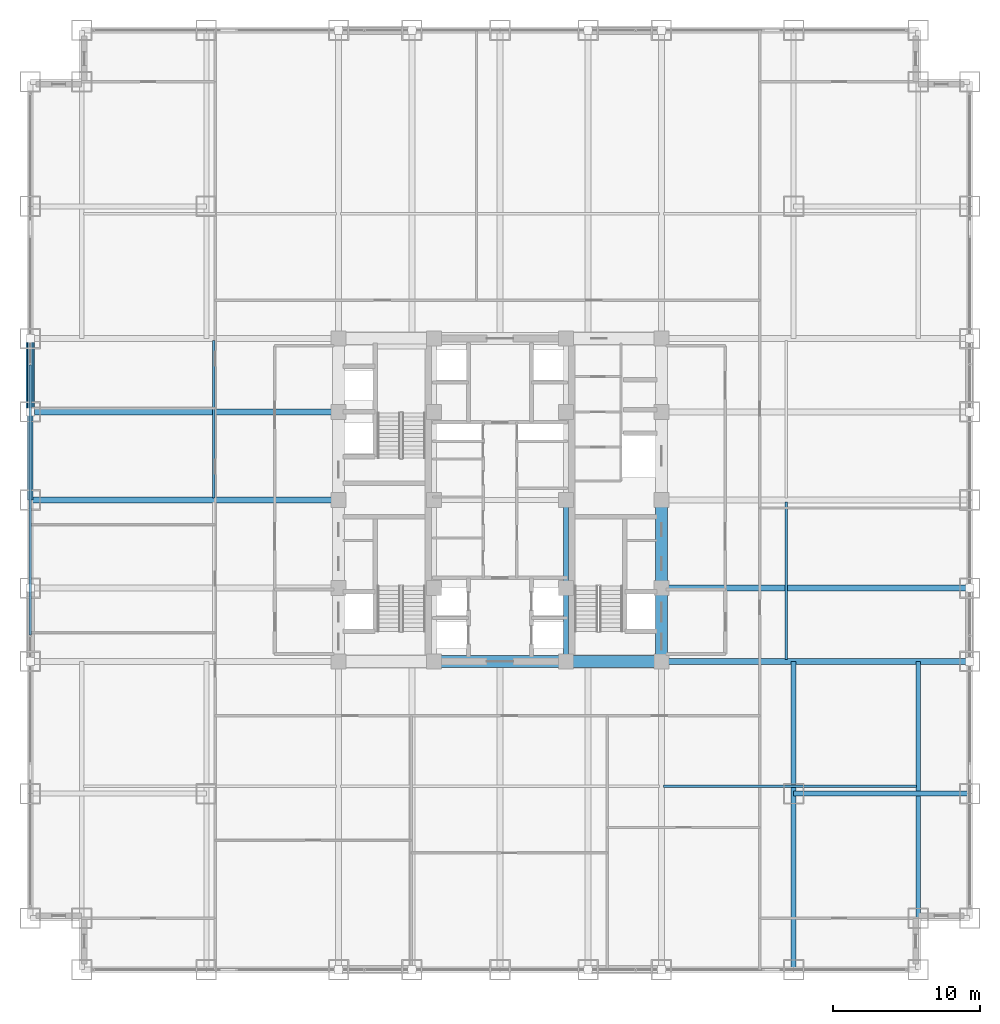
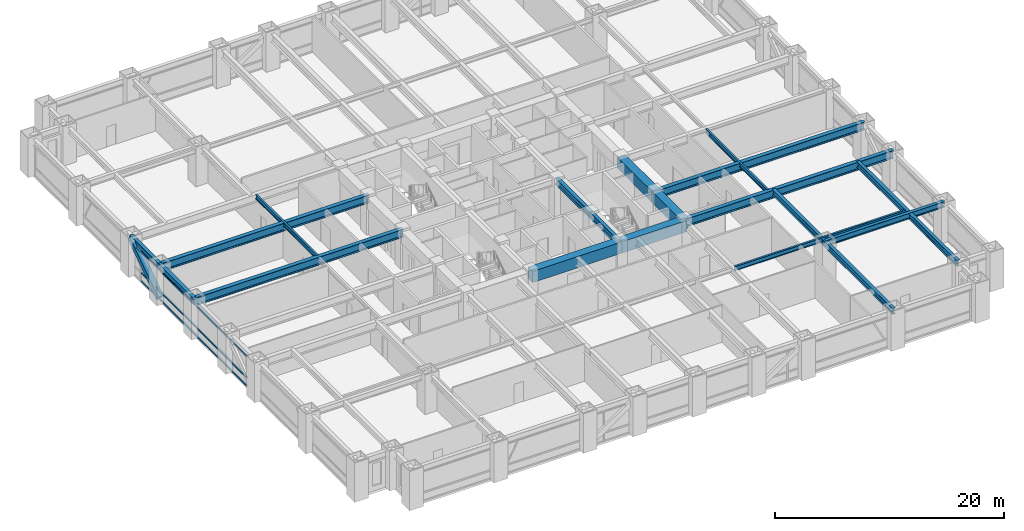
# One storey, part 11 of 28: 18 beams, 4 members, 1 element without a shape of its own.
"""IFC4 building model written with IfcOpenShell, lengths in metres."""

from ifc_helpers import new_model, si_unit, direction, frame, origin, origin_2d, place, context, subcontext, project, spatial, rectangle, hollow_rectangle, i_section, extrude, source, transform, mapped, material, material_profile, profile_set, type_object, element, aggregate, save


model = new_model("IFC4")

# Units and contexts
model_context = context("Model", 3, precision=1e-05, world=origin(), true_north=direction((0.0, 1.0)))
body_context = subcontext(model_context, "Body", "Model", "MODEL_VIEW")
ifc_project = project(units=[si_unit("LENGTHUNIT", "METRE"), si_unit("AREAUNIT", "SQUARE_METRE"), si_unit("VOLUMEUNIT", "CUBIC_METRE"), si_unit("PLANEANGLEUNIT", "RADIAN"), si_unit("MASSUNIT", "GRAM", prefix="KILO")], contexts=[model_context])

# Site, building, storey
site_placement = place(None, origin())
site = spatial("IfcSite", under=ifc_project, at=site_placement, CompositionType="ELEMENT")
building_placement = place(site_placement, origin())
building = spatial("IfcBuilding", under=site, at=building_placement, Name="Khorayat Bourse Tower", CompositionType="ELEMENT")
storey_placement = place(building_placement, frame((0.0, 0.0, 62.0)))
storey = spatial("IfcBuildingStorey", under=building, at=storey_placement, Name="L13", CompositionType="ELEMENT", Elevation=62.0)

# Beams
ifc_material_1 = material(Name="Concrete C72/90", Category="concrete")
ifc_material_profile_1 = material_profile(ifc_material_1, rectangle(XDim=0.800048828125, YDim=1.199951171875, at=origin_2d()), Name="RC 800x1200")
ifc_profile_set_1 = profile_set([ifc_material_profile_1], Name="Concrete C72/90")
beam_type_1 = type_object("IfcBeamType", Name="BM-COUP-1200", PredefinedType="BEAM", material=ifc_profile_set_1)
shared_shape_1 = source(origin(), body_context, "Body", "SweptSolid", [
    extrude(rectangle(XDim=0.800048828125, YDim=1.199951171875, at=origin_2d()), origin(), (0.0, 0.0, 1.0), 5.0),
])
beam_1_placement = place(storey_placement, frame((11.0, -11.0, 3.340087890625), z_axis=(0.0, 1.0, 0.0), x_axis=(-1.0, 0.0, 0.0)))
element("IfcBeam", 1, at=beam_1_placement, inside=storey, type_object=beam_type_1, Name="L13 BM-COUP-1200 BM-L13-CRX-13", PredefinedType="BEAM", context=body_context, shape_type="MappedRepresentation", body=[
    mapped(shared_shape_1, transform((0.0, 0.0, 0.0), scale=1.0)),
])
shared_shape_2 = source(origin(), body_context, "Body", "SweptSolid", [
    extrude(rectangle(XDim=0.800048828125, YDim=1.199951171875, at=origin_2d()), origin(), (0.0, 0.0, 1.0), 6.0),
])
beam_2_placement = place(storey_placement, frame((11.0, -6.0, 3.340087890625), z_axis=(0.0, 1.0, 0.0), x_axis=(-1.0, 0.0, 0.0)))
element("IfcBeam", 2, at=beam_2_placement, inside=storey, type_object=beam_type_1, Name="L13 BM-COUP-1200 BM-L13-CRX-14", PredefinedType="BEAM", context=body_context, shape_type="MappedRepresentation", body=[
    mapped(shared_shape_2, transform((0.0, 0.0, 0.0), scale=1.0)),
])
ifc_material_2 = material(Name="Steel ASTM A992 Grade 50", Category="steel")
ifc_material_profile_2 = material_profile(ifc_material_2, i_section(OverallWidth=0.35498046875, OverallDepth=0.695068359375, WebThickness=0.015380859375, FlangeThickness=0.02490234375, FilletRadius=0.01806640625, at=origin_2d()), Name="W690X217")
ifc_profile_set_2 = profile_set([ifc_material_profile_2], Name="Steel ASTM A992 Grade 50")
beam_type_2 = type_object("IfcBeamType", Name="BM-GIRD-690", PredefinedType="BEAM", material=ifc_profile_set_2)
shared_shape_3 = source(origin(), body_context, "Body", "SweptSolid", [
    extrude(i_section(OverallWidth=0.35498046875, OverallDepth=0.695068359375, WebThickness=0.015380859375, FlangeThickness=0.02490234375, FilletRadius=0.01806640625, at=origin_2d()), origin(), (0.0, 0.0, 1.0), 5.0),
])
beam_3_placement = place(storey_placement, frame((4.5, -11.0, 3.592529296875), z_axis=(0.0, 1.0, 0.0), x_axis=(-1.0, 0.0, 0.0)))
element("IfcBeam", 3, at=beam_3_placement, inside=storey, type_object=beam_type_2, Name="L13 BM-GIRD-690 BM-L13-CRX-09", PredefinedType="BEAM", context=body_context, shape_type="MappedRepresentation", body=[
    mapped(shared_shape_3, transform((0.0, 0.0, 0.0), scale=1.0)),
])
shared_shape_4 = source(origin(), body_context, "Body", "SweptSolid", [
    extrude(i_section(OverallWidth=0.35498046875, OverallDepth=0.695068359375, WebThickness=0.015380859375, FlangeThickness=0.02490234375, FilletRadius=0.01806640625, at=origin_2d()), origin(), (0.0, 0.0, 1.0), 6.0),
])
beam_4_placement = place(storey_placement, frame((4.5, -6.0, 3.592529296875), z_axis=(0.0, 1.0, 0.0), x_axis=(-1.0, 0.0, 0.0)))
element("IfcBeam", 4, at=beam_4_placement, inside=storey, type_object=beam_type_2, Name="L13 BM-GIRD-690 BM-L13-CRX-10", PredefinedType="BEAM", context=body_context, shape_type="MappedRepresentation", body=[
    mapped(shared_shape_4, transform((0.0, 0.0, 0.0), scale=1.0)),
])
shared_shape_5 = source(origin(), body_context, "Body", "SweptSolid", [
    extrude(rectangle(XDim=0.800048828125, YDim=1.199951171875, at=origin_2d()), origin(), (0.0, 0.0, 1.0), 6.5),
])
beam_5_placement = place(storey_placement, frame((4.5, -11.0, 3.340087890625), z_axis=(1.0, 0.0, 0.0), x_axis=(0.0, 1.0, 0.0)))
element("IfcBeam", 5, at=beam_5_placement, inside=storey, type_object=beam_type_1, Name="L13 BM-COUP-1200 BM-L13-CRY-19", PredefinedType="BEAM", context=body_context, shape_type="MappedRepresentation", body=[
    mapped(shared_shape_5, transform((0.0, 0.0, 0.0), scale=1.0)),
])
shared_shape_6 = source(origin(), body_context, "Body", "SweptSolid", [
    extrude(rectangle(XDim=0.800048828125, YDim=1.199951171875, at=origin_2d()), origin(), (0.0, 0.0, 1.0), 9.0),
])
beam_6_placement = place(storey_placement, frame((-4.5, -11.0, 3.340087890625), z_axis=(1.0, 0.0, 0.0), x_axis=(0.0, 1.0, 0.0)))
element("IfcBeam", 6, at=beam_6_placement, inside=storey, type_object=beam_type_1, Name="L13 BM-COUP-1200 BM-L13-CRY-18", PredefinedType="BEAM", context=body_context, shape_type="MappedRepresentation", body=[
    mapped(shared_shape_6, transform((0.0, 0.0, 0.0), scale=1.0)),
])
ifc_material_profile_3 = material_profile(ifc_material_2, i_section(OverallWidth=0.35498046875, OverallDepth=0.695068359375, WebThickness=0.015380859375, FlangeThickness=0.02490234375, FilletRadius=0.01806640625, at=origin_2d()), Name="W690X217")
ifc_profile_set_3 = profile_set([ifc_material_profile_3], Name="Steel ASTM A992 Grade 50")
beam_type_3 = type_object("IfcBeamType", Name="BM-SPAN-690", PredefinedType="SPANDREL", material=ifc_profile_set_3)
shared_shape_7 = source(origin(), body_context, "Body", "SweptSolid", [
    extrude(i_section(OverallWidth=0.35498046875, OverallDepth=0.695068359375, WebThickness=0.015380859375, FlangeThickness=0.02490234375, FilletRadius=0.01806640625, at=origin_2d()), origin(), (0.0, 0.0, 1.0), 5.0),
])
beam_7_placement = place(storey_placement, frame((-32.0, 6.0, 3.592529296875), z_axis=(0.0, 1.0, 0.0), x_axis=(-1.0, 0.0, 0.0)))
element("IfcBeam", 7, at=beam_7_placement, inside=storey, type_object=beam_type_3, Name="L13 BM-SPAN-690 BM-L13-SPN-056", PredefinedType="SPANDREL", context=body_context, shape_type="MappedRepresentation", body=[
    mapped(shared_shape_7, transform((0.0, 0.0, 0.0), scale=1.0)),
])
shared_shape_8 = source(origin(), body_context, "Body", "SweptSolid", [
    extrude(i_section(OverallWidth=0.35498046875, OverallDepth=0.695068359375, WebThickness=0.015380859375, FlangeThickness=0.02490234375, FilletRadius=0.01806640625, at=origin_2d()), origin(), (0.0, 0.0, 1.0), 6.0),
])
beam_8_placement = place(storey_placement, frame((-32.0, 0.0, 3.592529296875), z_axis=(0.0, 1.0, 0.0), x_axis=(-1.0, 0.0, 0.0)))
element("IfcBeam", 8, at=beam_8_placement, inside=storey, type_object=beam_type_3, Name="L13 BM-SPAN-690 BM-L13-SPN-057", PredefinedType="SPANDREL", context=body_context, shape_type="MappedRepresentation", body=[
    mapped(shared_shape_8, transform((0.0, 0.0, 0.0), scale=1.0)),
])
ifc_material_profile_4 = material_profile(ifc_material_2, i_section(OverallWidth=0.39990234375, OverallDepth=0.85498046875, WebThickness=0.018310546875, FlangeThickness=0.029296875, FilletRadius=0.02001953125, at=origin_2d()), Name="W840X299")
ifc_profile_set_4 = profile_set([ifc_material_profile_4], Name="Steel ASTM A992 Grade 50")
beam_type_4 = type_object("IfcBeamType", Name="BM-GIRD-840", PredefinedType="BEAM", material=ifc_profile_set_4)
shared_shape_9 = source(origin(), body_context, "Body", "SweptSolid", [
    extrude(i_section(OverallWidth=0.39990234375, OverallDepth=0.85498046875, WebThickness=0.018310546875, FlangeThickness=0.029296875, FilletRadius=0.02001953125, at=origin_2d()), origin(), (0.0, 0.0, 1.0), 21.0),
])
for number, where, z_axis, x_axis, name in (
    (9, (11.0, -11.0, 3.512451171875), (1.0, 0.0, 0.0), (0.0, 1.0, 0.0), "L13 BM-GIRD-840 BM-L13-RADX-074"),
    (10, (11.0, -6.0, 3.512451171875), (1.0, 0.0, 0.0), (0.0, 1.0, 0.0), "L13 BM-GIRD-840 BM-L13-RADX-076"),
    (11, (-32.0, 0.0, 3.512451171875), (1.0, 0.0, 0.0), (0.0, 1.0, 0.0), "L13 BM-GIRD-840 BM-L13-RADX-079"),
    (12, (-32.0, 6.0, 3.512451171875), (1.0, 0.0, 0.0), (0.0, 1.0, 0.0), "L13 BM-GIRD-840 BM-L13-RADX-081"),
):
    element("IfcBeam", number, at=place(storey_placement, frame(where, z_axis=z_axis, x_axis=x_axis)), inside=storey, type_object=beam_type_4, Name=name, PredefinedType="BEAM", context=body_context, shape_type="MappedRepresentation", body=[
        mapped(shared_shape_9, transform((0.0, 0.0, 0.0), scale=1.0)),
    ])
ifc_material_profile_5 = material_profile(ifc_material_2, i_section(OverallWidth=0.324951171875, OverallDepth=0.615966796875, WebThickness=0.013916015625, FlangeThickness=0.021484375, FilletRadius=0.01611328125, at=origin_2d()), Name="W610X174")
ifc_profile_set_5 = profile_set([ifc_material_profile_5], Name="Steel ASTM A992 Grade 50")
beam_type_5 = type_object("IfcBeamType", Name="BM-GIRD-610", PredefinedType="BEAM", material=ifc_profile_set_5)
shared_shape_10 = source(origin(), body_context, "Body", "SweptSolid", [
    extrude(i_section(OverallWidth=0.324951171875, OverallDepth=0.615966796875, WebThickness=0.013916015625, FlangeThickness=0.021484375, FilletRadius=0.01611328125, at=origin_2d()), origin(), (0.0, 0.0, 1.0), 21.0),
])
beam_9_placement = place(storey_placement, frame((20.0, -32.0, 3.632080078125), z_axis=(0.0, 1.0, 0.0), x_axis=(-1.0, 0.0, 0.0)))
element("IfcBeam", 13, at=beam_9_placement, inside=storey, type_object=beam_type_5, Name="L13 BM-GIRD-610 BM-L13-CNRY-086", PredefinedType="BEAM", context=body_context, shape_type="MappedRepresentation", body=[
    mapped(shared_shape_10, transform((0.0, 0.0, 0.0), scale=1.0)),
])
shared_shape_11 = source(origin(), body_context, "Body", "SweptSolid", [
    extrude(i_section(OverallWidth=0.324951171875, OverallDepth=0.615966796875, WebThickness=0.013916015625, FlangeThickness=0.021484375, FilletRadius=0.01611328125, at=origin_2d()), origin(), (0.0, 0.0, 1.0), 17.5),
])
beam_10_placement = place(storey_placement, frame((28.5, -28.5, 3.632080078125), z_axis=(0.0, 1.0, 0.0), x_axis=(-1.0, 0.0, 0.0)))
element("IfcBeam", 14, at=beam_10_placement, inside=storey, type_object=beam_type_5, Name="L13 BM-GIRD-610 BM-L13-CNRY-090", PredefinedType="BEAM", context=body_context, shape_type="MappedRepresentation", body=[
    mapped(shared_shape_11, transform((0.0, 0.0, 0.0), scale=1.0)),
])
shared_shape_12 = source(origin(), body_context, "Body", "SweptSolid", [
    extrude(i_section(OverallWidth=0.324951171875, OverallDepth=0.615966796875, WebThickness=0.013916015625, FlangeThickness=0.021484375, FilletRadius=0.01611328125, at=origin_2d()), origin(), (0.0, 0.0, 1.0), 12.0),
])
beam_11_placement = place(storey_placement, frame((20.0, -20.0, 3.632080078125), z_axis=(1.0, 0.0, 0.0), x_axis=(0.0, 1.0, 0.0)))
element("IfcBeam", 15, at=beam_11_placement, inside=storey, type_object=beam_type_5, Name="L13 BM-GIRD-610 BM-L13-CNRX-092", PredefinedType="BEAM", context=body_context, shape_type="MappedRepresentation", body=[
    mapped(shared_shape_12, transform((0.0, 0.0, 0.0), scale=1.0)),
])
ifc_material_profile_6 = material_profile(ifc_material_2, i_section(OverallWidth=0.194091796875, OverallDepth=0.468994140625, WebThickness=0.0126953125, FlangeThickness=0.0205078125, FilletRadius=0.012939453125, at=origin_2d()), Name="W460X106")
ifc_profile_set_6 = profile_set([ifc_material_profile_6], Name="Steel ASTM A992 Grade 50")
beam_type_6 = type_object("IfcBeamType", Name="BM-JOIST-460", PredefinedType="JOIST", material=ifc_profile_set_6)
shared_shape_13 = source(origin(), body_context, "Body", "SweptSolid", [
    extrude(i_section(OverallWidth=0.194091796875, OverallDepth=0.468994140625, WebThickness=0.0126953125, FlangeThickness=0.0205078125, FilletRadius=0.012939453125, at=origin_2d()), origin(), (0.0, 0.0, 1.0), 17.240234375),
])
beam_12_placement = place(storey_placement, frame((11.1298828125, -19.5, 3.70556640625), z_axis=(1.0, 0.0, 0.0), x_axis=(0.0, 1.0, 0.0)))
element("IfcBeam", 16, at=beam_12_placement, inside=storey, type_object=beam_type_6, Name="L13 BM-JOIST-460 BM-L13-JSTX-098", PredefinedType="JOIST", context=body_context, shape_type="MappedRepresentation", body=[
    mapped(shared_shape_13, transform((0.0, 0.0, 0.0), scale=1.0)),
])
shared_shape_14 = source(origin(), body_context, "Body", "SweptSolid", [
    extrude(i_section(OverallWidth=0.194091796875, OverallDepth=0.468994140625, WebThickness=0.0126953125, FlangeThickness=0.0205078125, FilletRadius=0.012939453125, at=origin_2d()), origin(), (0.0, 0.0, 1.0), 10.740234375),
])
for number, where, z_axis, x_axis, name in (
    (17, (-19.5, 0.1298828125, 3.70556640625), (0.0, 1.0, 0.0), (-1.0, 0.0, 0.0), "L13 BM-JOIST-460 BM-L13-JSTY-103"),
    (18, (19.5, -10.8701171875, 3.70556640625), (0.0, 1.0, 0.0), (-1.0, 0.0, 0.0), "L13 BM-JOIST-460 BM-L13-JSTY-104"),
):
    element("IfcBeam", number, at=place(storey_placement, frame(where, z_axis=z_axis, x_axis=x_axis)), inside=storey, type_object=beam_type_6, Name=name, PredefinedType="JOIST", context=body_context, shape_type="MappedRepresentation", body=[
        mapped(shared_shape_14, transform((0.0, 0.0, 0.0), scale=1.0)),
    ])

# Member
ifc_material_3 = material(Name="Steel EN 10025-4 S460M", Category="steel")
ifc_material_profile_7 = material_profile(ifc_material_3, hollow_rectangle(XDim=0.550048828125, YDim=0.550048828125, WallThickness=0.031982421875, at=origin_2d()), Name="HSS 550x550x32")
ifc_profile_set_7 = profile_set([ifc_material_profile_7], Name="Steel EN 10025-4 S460M")
member_type_1 = type_object("IfcMemberType", Name="MBR-TUBE-550", PredefinedType="BRACE", material=ifc_profile_set_7)
shared_shape_15 = source(origin(), body_context, "Body", "SweptSolid", [
    extrude(hollow_rectangle(XDim=0.550048828125, YDim=0.550048828125, WallThickness=0.031982421875, at=origin_2d()), origin(), (0.0, 0.0, 1.0), 6.069091796875),
])
member_1_placement = place(storey_placement, frame((-32.0, 6.0, 0.25), z_axis=(0.0, 0.823854080622, 0.566801952928), x_axis=(-1.0, 0.0, 0.0)))
element("IfcMember", 19, at=member_1_placement, inside=storey, type_object=member_type_1, Name="L13 Perimeter Tube Brace 06", PredefinedType="BRACE", context=body_context, shape_type="MappedRepresentation", body=[
    mapped(shared_shape_15, transform((0.0, 0.0, 0.0), scale=1.0)),
])

# Curtain wall, members
ifc_material_4 = material(Name="Aluminium EN AW-6063 T6", Category="aluminium")
curtain_wall_type = type_object("IfcCurtainWallType", Name="CW-SYS-02", PredefinedType="NOTDEFINED", material=ifc_material_4)
curtain_wall_placement = place(storey_placement, origin())
curtain_wall = element("IfcCurtainWall", 20, at=curtain_wall_placement, inside=storey, type_object=curtain_wall_type, Name="L13 Curtain Wall CW-L13-W1", PredefinedType="NOTDEFINED")
ifc_material_profile_8 = material_profile(ifc_material_4, hollow_rectangle(XDim=0.139892578125, YDim=0.139892578125, WallThickness=0.006103515625, at=origin_2d()), Name="ALU 140x140x6")
ifc_profile_set_8 = profile_set([ifc_material_profile_8], Name="Aluminium EN AW-6063 T6")
member_type_2 = type_object("IfcMemberType", Name="CWT-HORZ-140", PredefinedType="USERDEFINED", material=ifc_profile_set_8)
shared_shape_16 = source(origin(), body_context, "Body", "SweptSolid", [
    extrude(hollow_rectangle(XDim=0.139892578125, YDim=0.139892578125, WallThickness=0.006103515625, at=origin_2d()), origin(), (0.0, 0.0, 1.0), 18.35986328125),
])
member_2_placement = place(storey_placement, frame((-32.0, -9.179931640625, 0.070068359375), z_axis=(0.0, 1.0, 0.0), x_axis=(-1.0, 0.0, 0.0)))
member_2 = element("IfcMember", 21, at=member_2_placement, type_object=member_type_2, Name="CW-L13-W1 Horizontal Transom 2-1", ObjectType="TRANSOM", PredefinedType="USERDEFINED", context=body_context, shape_type="MappedRepresentation", body=[
    mapped(shared_shape_16, transform((0.0, 0.0, 0.0), scale=1.0)),
])
member_3_placement = place(storey_placement, frame((-32.0, -9.179931640625, 0.949951171875), z_axis=(0.0, 1.0, 0.0), x_axis=(-1.0, 0.0, 0.0)))
member_3 = element("IfcMember", 22, at=member_3_placement, type_object=member_type_2, Name="CW-L13-W1 Horizontal Transom 2-2", ObjectType="TRANSOM", PredefinedType="USERDEFINED", context=body_context, shape_type="MappedRepresentation", body=[
    mapped(shared_shape_16, transform((0.0, 0.0, 0.0), scale=1.0)),
])
member_4_placement = place(storey_placement, frame((-32.0, -9.179931640625, 3.219970703125), z_axis=(0.0, 1.0, 0.0), x_axis=(-1.0, 0.0, 0.0)))
member_4 = element("IfcMember", 23, at=member_4_placement, type_object=member_type_2, Name="CW-L13-W1 Horizontal Transom 2-3", ObjectType="TRANSOM", PredefinedType="USERDEFINED", context=body_context, shape_type="MappedRepresentation", body=[
    mapped(shared_shape_16, transform((0.0, 0.0, 0.0), scale=1.0)),
])
aggregate(curtain_wall, [member_2, member_3, member_4])

save(model, "model.ifc")
